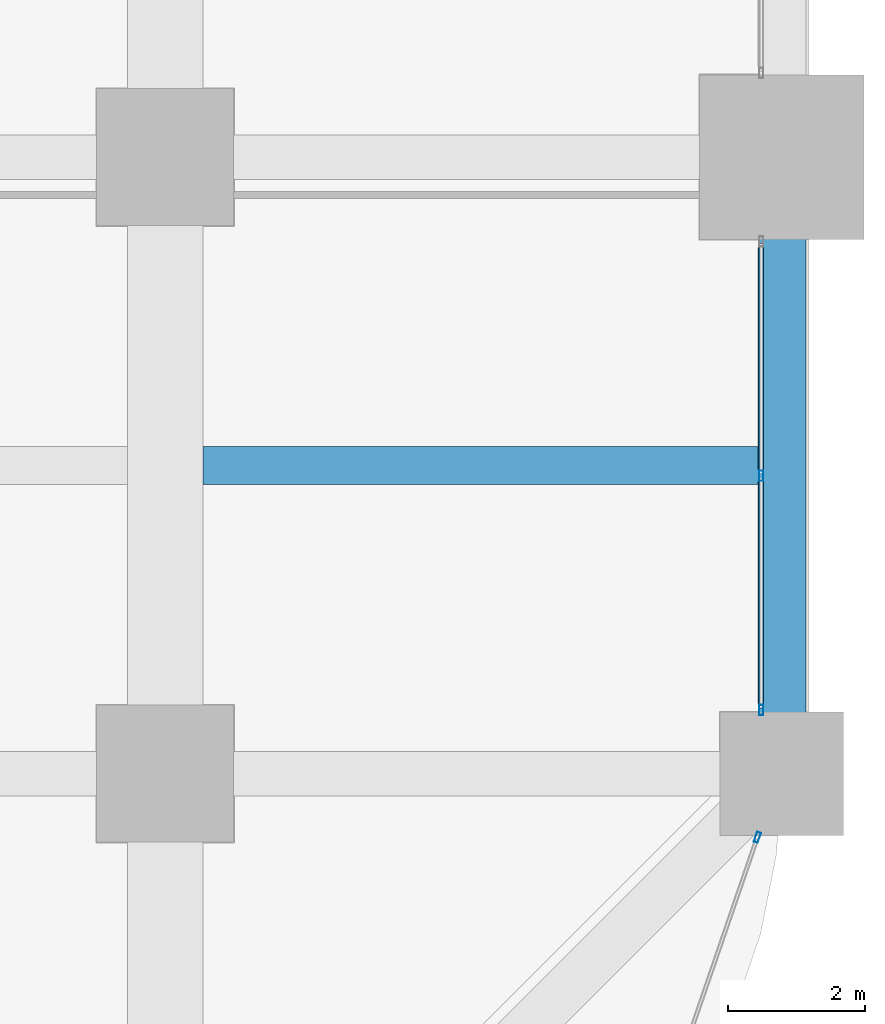
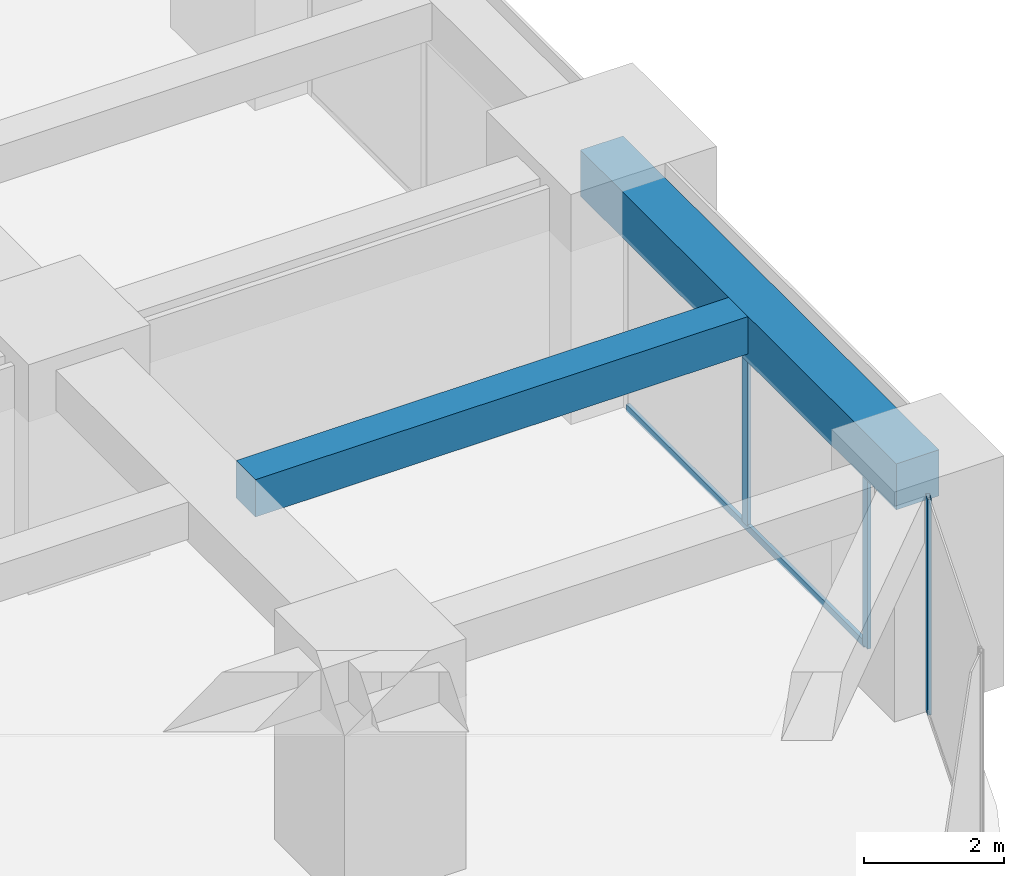
# One storey, part 19 of 40: 4 members, 2 beams, 2 elements without a shape of their own.
"""IFC4 building model written with IfcOpenShell, lengths in metres."""

from ifc_helpers import new_model, si_unit, direction, frame, origin, origin_2d, place, context, subcontext, project, spatial, rectangle, hollow_rectangle, extrude, material, material_profile, profile_set, type_object, element, aggregate, save


model = new_model("IFC4")

# Units and contexts
model_context = context("Model", 3, precision=1e-05, world=origin(), true_north=direction((0.0, 1.0)))
body_context = subcontext(model_context, "Body", "Model", "MODEL_VIEW")
ifc_project = project(units=[si_unit("LENGTHUNIT", "METRE"), si_unit("AREAUNIT", "SQUARE_METRE"), si_unit("VOLUMEUNIT", "CUBIC_METRE"), si_unit("PLANEANGLEUNIT", "RADIAN"), si_unit("MASSUNIT", "GRAM", prefix="KILO")], contexts=[model_context])

# Site, building, storey
site_placement = place(None, origin())
site = spatial("IfcSite", under=ifc_project, at=site_placement, CompositionType="ELEMENT")
building_placement = place(site_placement, origin())
building = spatial("IfcBuilding", under=site, at=building_placement, Name="Zorevar Civic Tower", CompositionType="ELEMENT")
storey_placement = place(building_placement, frame((0.0, 0.0, 93.0)))
storey = spatial("IfcBuildingStorey", under=building, at=storey_placement, Name="L22", CompositionType="ELEMENT", Elevation=93.0)

# Beam
ifc_material_1 = material(Name="Concrete C50/60", Category="concrete")
ifc_material_profile_1 = material_profile(ifc_material_1, rectangle(XDim=0.550048828125, YDim=0.64990234375, at=origin_2d()), Name="RC 550x650")
ifc_profile_set_1 = profile_set([ifc_material_profile_1], Name="Concrete C50/60")
beam_type_1 = type_object("IfcBeamType", Name="Beam RC 550x650", PredefinedType="BEAM", material=ifc_profile_set_1)
beam_1_placement = place(storey_placement, frame((54.550048828125, 13.5, 3.425048828125), z_axis=(1.0, 0.0, 0.0), x_axis=(0.0, 1.0, 0.0)))
element("IfcBeam", 1, at=beam_1_placement, inside=storey, type_object=beam_type_1, Name="Secondary beam L23", PredefinedType="BEAM", context=body_context, shape_type="SweptSolid", body=[
    extrude(rectangle(XDim=0.550048828125, YDim=0.64990234375, at=origin_2d()), origin(), (0.0, 0.0, 1.0), 8.099853515625),
])

# Curtain wall, members
ifc_material_2 = material(Name="Dark grey solar-control glass in black aluminium frame", Category="aluminium")
curtain_wall_type = type_object("IfcCurtainWallType", Name="Curtain wall CW3 mid zone", PredefinedType="NOTDEFINED", material=ifc_material_2)
curtain_wall_1_placement = place(storey_placement, origin())
curtain_wall_1 = element("IfcCurtainWall", 2, at=curtain_wall_1_placement, inside=storey, type_object=curtain_wall_type, Name="CW3 L22", PredefinedType="NOTDEFINED")
ifc_material_3 = material(Name="Aluminium, black anodised", Category="aluminium")
ifc_material_profile_2 = material_profile(ifc_material_3, hollow_rectangle(XDim=0.06005859375, YDim=0.14990234375, WallThickness=0.00390625, at=origin_2d()), Name="AL 150x60x4")
ifc_profile_set_2 = profile_set([ifc_material_profile_2], Name="Aluminium, black anodised")
member_type_1 = type_object("IfcMemberType", Name="CW3 mullion AL 150x60x4", PredefinedType="MULLION", material=ifc_profile_set_2)
member_1_placement = place(storey_placement, frame((62.699951171875, 9.929931640625, 0.0), z_axis=(0.0, 0.0, 1.0), x_axis=(-1.0, 0.0, 0.0)))
member_1 = element("IfcMember", 3, at=member_1_placement, type_object=member_type_1, Name="CW3 mullion 1", PredefinedType="MULLION", context=body_context, shape_type="SweptSolid", body=[
    extrude(hollow_rectangle(XDim=0.06005859375, YDim=0.14990234375, WallThickness=0.00390625, at=origin_2d()), origin(), (0.0, 0.0, 1.0), 2.949951171875),
])
member_2_placement = place(storey_placement, frame((62.699951171875, 13.35009765625, 0.06005859375), z_axis=(0.0, 0.0, 1.0), x_axis=(-1.0, 0.0, 0.0)))
member_2 = element("IfcMember", 4, at=member_2_placement, type_object=member_type_1, Name="CW3 mullion 2", PredefinedType="MULLION", context=body_context, shape_type="SweptSolid", body=[
    extrude(hollow_rectangle(XDim=0.06005859375, YDim=0.14990234375, WallThickness=0.00390625, at=origin_2d()), origin(), (0.0, 0.0, 1.0), 2.889892578125),
])

# Curtain wall, member
curtain_wall_2_placement = place(storey_placement, origin())
curtain_wall_2 = element("IfcCurtainWall", 5, at=curtain_wall_2_placement, inside=storey, type_object=curtain_wall_type, Name="CW3 L22", PredefinedType="NOTDEFINED")
member_3_placement = place(storey_placement, frame((62.6435546875, 8.071533203125, 0.0), z_axis=(0.0, 0.0, 1.0), x_axis=(-0.945755772794, 0.324878466857, 0.0)))
member_3 = element("IfcMember", 6, at=member_3_placement, type_object=member_type_1, Name="CW3 mullion 2", PredefinedType="MULLION", context=body_context, shape_type="SweptSolid", body=[
    extrude(hollow_rectangle(XDim=0.06005859375, YDim=0.14990234375, WallThickness=0.00390625, at=origin_2d()), origin(), (0.0, 0.0, 1.0), 3.75),
])
aggregate(curtain_wall_2, [member_3])

# Member
ifc_material_4 = material(Name="Aluminium, black anodised", Category="aluminium")
ifc_material_profile_3 = material_profile(ifc_material_4, hollow_rectangle(XDim=0.06005859375, YDim=0.1201171875, WallThickness=0.0029296875, at=origin_2d()), Name="AL 120x60x3")
ifc_profile_set_3 = profile_set([ifc_material_profile_3], Name="Aluminium, black anodised")
member_type_2 = type_object("IfcMemberType", Name="CW3 transom AL 120x60x3", PredefinedType="USERDEFINED", material=ifc_profile_set_3)
member_4_placement = place(storey_placement, frame((62.699951171875, 9.9599609375, 0.030029296875), z_axis=(0.0, 1.0, 0.0), x_axis=(-1.0, 0.0, 0.0)))
member_4 = element("IfcMember", 7, at=member_4_placement, type_object=member_type_2, Name="CW3 sill transom", ObjectType="TRANSOM", PredefinedType="USERDEFINED", context=body_context, shape_type="SweptSolid", body=[
    extrude(hollow_rectangle(XDim=0.06005859375, YDim=0.1201171875, WallThickness=0.0029296875, at=origin_2d()), origin(), (0.0, 0.0, 1.0), 6.780029296875),
])

aggregate(curtain_wall_1, [member_1, member_2, member_4])

# Beam
ifc_material_5 = material(Name="Concrete C50/60", Category="concrete")
ifc_material_profile_4 = material_profile(ifc_material_5, rectangle(XDim=0.699951171875, YDim=0.800048828125, at=origin_2d()), Name="RC 700x800")
ifc_profile_set_4 = profile_set([ifc_material_profile_4], Name="Concrete C50/60")
beam_type_2 = type_object("IfcBeamType", Name="Edge beam RC 700x800", PredefinedType="SPANDREL", material=ifc_profile_set_4)
beam_2_placement = place(storey_placement, frame((63.0, 9.0, 3.35009765625), z_axis=(0.0, 1.0, 0.0), x_axis=(-1.0, 0.0, 0.0)))
element("IfcBeam", 8, at=beam_2_placement, inside=storey, type_object=beam_type_2, Name="Edge beam L23", PredefinedType="SPANDREL", context=body_context, shape_type="SweptSolid", body=[
    extrude(rectangle(XDim=0.699951171875, YDim=0.800048828125, at=origin_2d()), origin(), (0.0, 0.0, 1.0), 9.0),
])

save(model, "model.ifc")
